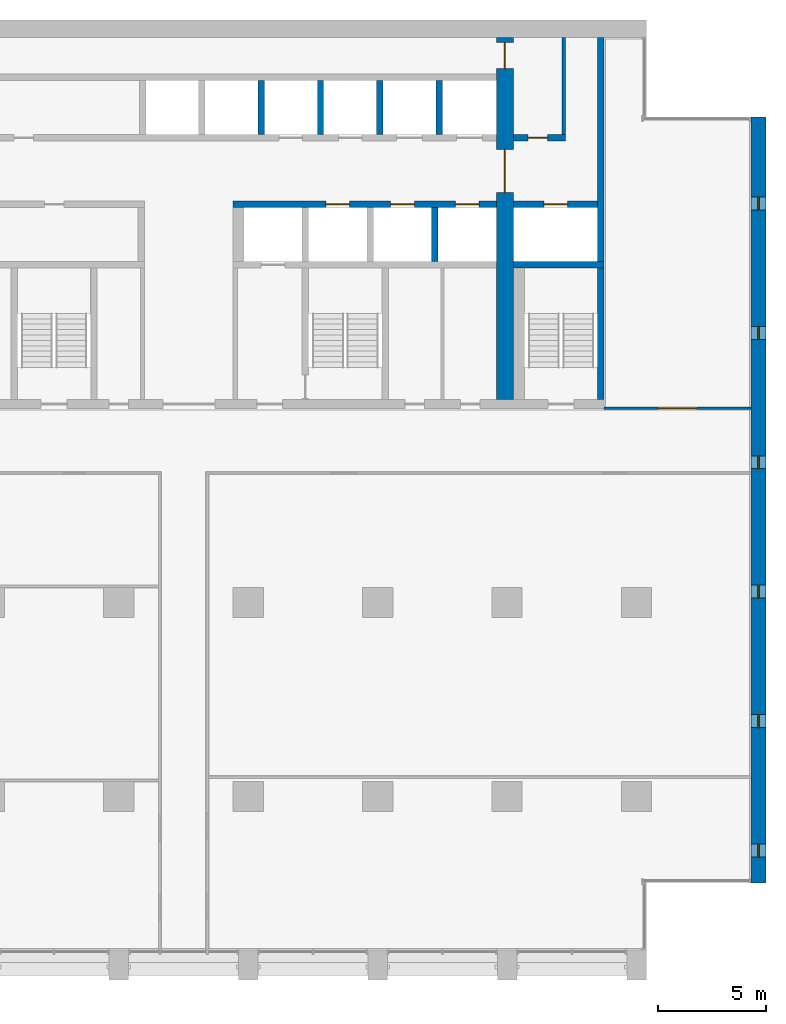
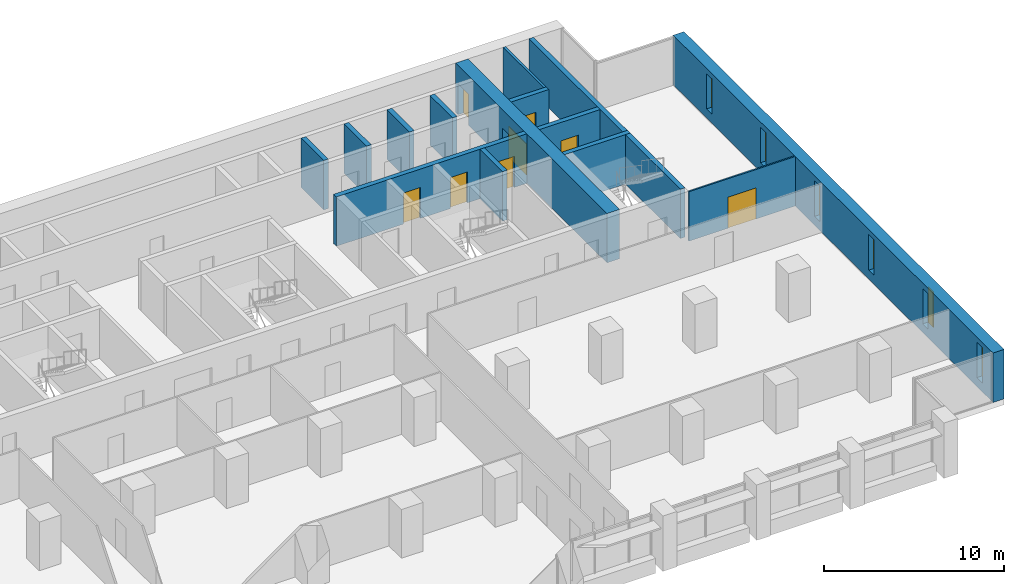
# One storey, part 11 of 15: 15 walls, 8 doors, 6 windows, 14 openings.
"""IFC4 building model written with IfcOpenShell, lengths in metres."""

from ifc_helpers import new_model, si_unit, direction, frame, frame_2d, origin, place, context, subcontext, project, spatial, rectangle, extrude, material, layer, layer_set, type_object, element, fill, save


model = new_model("IFC4")

# Units and contexts
model_context = context("Model", 3, precision=1e-05, world=origin(), true_north=direction((0.0, 1.0)))
body_context = subcontext(model_context, "Body", "Model", "MODEL_VIEW")
ifc_project = project(units=[si_unit("LENGTHUNIT", "METRE"), si_unit("AREAUNIT", "SQUARE_METRE"), si_unit("VOLUMEUNIT", "CUBIC_METRE"), si_unit("PLANEANGLEUNIT", "RADIAN"), si_unit("MASSUNIT", "GRAM", prefix="KILO")], contexts=[model_context])

# Site, building, storey
site_placement = place(None, origin())
site = spatial("IfcSite", under=ifc_project, at=site_placement, CompositionType="ELEMENT")
building_placement = place(site_placement, origin())
building = spatial("IfcBuilding", under=site, at=building_placement, Name="Calvaro Tower", CompositionType="ELEMENT")
storey_placement = place(building_placement, frame((0.0, 0.0, 106.25)))
storey = spatial("IfcBuildingStorey", under=building, at=storey_placement, Name="L26", CompositionType="ELEMENT", Elevation=106.25)

# Wall
ifc_material_1 = material(Name="Blockwork partition", Category="masonry")
ifc_layer_1 = layer(ifc_material_1, 0.14990234375)
ifc_layer_set_1 = layer_set([ifc_layer_1], Name="Blockwork partition")
wall_type_1 = type_object("IfcWallType", Name="Core partition 150 REI 120", PredefinedType="PARTITIONING", material=ifc_layer_set_1)
wall_1_placement = place(storey_placement, frame((62.625, 40.699951171875, 0.0), z_axis=(0.0, 0.0, 1.0), x_axis=(0.0, 1.0, 0.0)))
element("IfcWall", 1, at=wall_1_placement, inside=storey, type_object=wall_type_1, Name="Core partition", PredefinedType="PARTITIONING", context=body_context, shape_type="SweptSolid", body=[
    extrude(rectangle(XDim=4.5, YDim=0.14990234375, at=frame_2d((2.25, 0.0))), origin(), (0.0, 0.0, 1.0), 3.35009765625),
])

# Wall, opening, door
ifc_material_2 = material(Name="Blockwork partition", Category="masonry")
ifc_layer_2 = layer(ifc_material_2, 0.300048828125)
ifc_layer_set_2 = layer_set([ifc_layer_2], Name="Blockwork partition")
wall_type_2 = type_object("IfcWallType", Name="Core partition 300 REI 120", PredefinedType="PARTITIONING", material=ifc_layer_set_2)
wall_2_placement = place(storey_placement, frame((60.300048828125, 40.550048828125, 0.0), z_axis=(0.0, 0.0, 1.0), x_axis=(1.0, 0.0, 0.0)))
wall_2 = element("IfcWall", 2, at=wall_2_placement, inside=storey, type_object=wall_type_2, Name="Core partition", PredefinedType="PARTITIONING", context=body_context, shape_type="SweptSolid", body=[
    extrude(rectangle(XDim=2.39990234375, YDim=0.300048828125, at=frame_2d((1.199951171875, 0.0))), origin(), (0.0, 0.0, 1.0), 3.35009765625),
])
opening_1_placement = place(wall_2_placement, frame((0.675048828125, 0.0, 0.0)))
opening_1 = element("IfcOpeningElement", 3, at=opening_1_placement, cuts=wall_2, Name="Opening RD9E", PredefinedType="OPENING", context=body_context, shape_type="SweptSolid", body=[
    extrude(rectangle(XDim=0.89990234375, YDim=2.10009765625, at=frame_2d((0.449951171875, 1.050048828125))), frame((0.0, 0.159912109375, 0.0), z_axis=(0.0, -1.0, 0.0), x_axis=(1.0, 0.0, 0.0)), (0.0, 0.0, 1.0), 0.320068359375),
])
ifc_material_3 = material(Name="Steel door set", Category="steel")
door_type_1 = type_object("IfcDoorType", Name="Room door 900 FD60", OperationType="SINGLE_SWING_LEFT", PredefinedType="DOOR", material=ifc_material_3)
door_1_placement = place(opening_1_placement, origin())
door_1 = element("IfcDoor", 4, at=door_1_placement, inside=storey, type_object=door_type_1, Name="Room door", OperationType="SINGLE_SWING_LEFT", OverallHeight=2.10009765625, OverallWidth=0.89990234375, PredefinedType="DOOR", context=body_context, shape_type="SweptSolid", body=[
    extrude(rectangle(XDim=0.89990234375, YDim=2.10009765625, at=frame_2d((0.449951171875, 1.050048828125))), frame((0.0, 0.02490234375, 0.0), z_axis=(0.0, -1.0, 0.0), x_axis=(1.0, 0.0, 0.0)), (0.0, 0.0, 1.0), 0.050048828125),
])
fill(opening_1, door_1)

# Walls
ifc_material_4 = material(Name="Concrete C60/75", Category="concrete")
ifc_layer_3 = layer(ifc_material_4, 0.300048828125)
ifc_layer_set_3 = layer_set([ifc_layer_3], Name="Concrete C60/75")
wall_type_3 = type_object("IfcWallType", Name="Core wall C60/75 300", PredefinedType="SHEAR", material=ifc_layer_set_3)
wall_3_placement = place(storey_placement, frame((64.35009765625, 34.800048828125, 0.0), z_axis=(0.0, 0.0, 1.0), x_axis=(0.0, 1.0, 0.0)))
element("IfcWall", 5, at=wall_3_placement, inside=storey, type_object=wall_type_3, Name="Core wall, boundary", PredefinedType="SHEAR", context=body_context, shape_type="SweptSolid", body=[
    extrude(rectangle(XDim=10.39990234375, YDim=0.300048828125, at=frame_2d((5.199951171875, 0.0))), origin(), (0.0, 0.0, 1.0), 3.35009765625),
])
wall_4_placement = place(storey_placement, frame((64.35009765625, 28.39990234375, 0.0), z_axis=(0.0, 0.0, 1.0), x_axis=(0.0, 1.0, 0.0)))
element("IfcWall", 6, at=wall_4_placement, inside=storey, type_object=wall_type_3, Name="Core wall, stair enclosure", PredefinedType="SHEAR", context=body_context, shape_type="SweptSolid", body=[
    extrude(rectangle(XDim=6.10009765625, YDim=0.300048828125, at=frame_2d((3.050048828125, 0.0))), origin(), (0.0, 0.0, 1.0), 3.35009765625),
])
wall_5_placement = place(storey_placement, frame((60.300048828125, 34.64990234375, 0.0), z_axis=(0.0, 0.0, 1.0), x_axis=(1.0, 0.0, 0.0)))
element("IfcWall", 7, at=wall_5_placement, inside=storey, type_object=wall_type_3, Name="Core wall, lift shaft", PredefinedType="SHEAR", context=body_context, shape_type="SweptSolid", body=[
    extrude(rectangle(XDim=4.199951171875, YDim=0.300048828125, at=frame_2d((2.10009765625, 0.0))), origin(), (0.0, 0.0, 1.0), 3.35009765625),
])

# Wall, openings, doors
wall_6_placement = place(storey_placement, frame((47.300048828125, 37.449951171875, 0.0), z_axis=(0.0, 0.0, 1.0), x_axis=(1.0, 0.0, 0.0)))
wall_6 = element("IfcWall", 8, at=wall_6_placement, inside=storey, type_object=wall_type_3, Name="Core wall, lift shaft", PredefinedType="SHEAR", context=body_context, shape_type="SweptSolid", body=[
    extrude(rectangle(XDim=12.199951171875, YDim=0.300048828125, at=frame_2d((6.10009765625, 0.0))), origin(), (0.0, 0.0, 1.0), 3.35009765625),
])
opening_2_placement = place(wall_6_placement, frame((4.300048828125, 0.0, 0.0)))
opening_2 = element("IfcOpeningElement", 9, at=opening_2_placement, cuts=wall_6, Name="Opening MR1", PredefinedType="OPENING", context=body_context, shape_type="SweptSolid", body=[
    extrude(rectangle(XDim=1.10009765625, YDim=2.10009765625, at=frame_2d((0.550048828125, 1.050048828125))), frame((0.0, 0.159912109375, 0.0), z_axis=(0.0, -1.0, 0.0), x_axis=(1.0, 0.0, 0.0)), (0.0, 0.0, 1.0), 0.320068359375),
])
opening_3_placement = place(wall_6_placement, frame((7.300048828125, 0.0, 0.0)))
opening_3 = element("IfcOpeningElement", 10, at=opening_3_placement, cuts=wall_6, Name="Opening MR2", PredefinedType="OPENING", context=body_context, shape_type="SweptSolid", body=[
    extrude(rectangle(XDim=1.10009765625, YDim=2.10009765625, at=frame_2d((0.550048828125, 1.050048828125))), frame((0.0, 0.159912109375, 0.0), z_axis=(0.0, -1.0, 0.0), x_axis=(1.0, 0.0, 0.0)), (0.0, 0.0, 1.0), 0.320068359375),
])
opening_4_placement = place(wall_6_placement, frame((10.300048828125, 0.0, 0.0)))
opening_4 = element("IfcOpeningElement", 11, at=opening_4_placement, cuts=wall_6, Name="Opening MR3", PredefinedType="OPENING", context=body_context, shape_type="SweptSolid", body=[
    extrude(rectangle(XDim=1.10009765625, YDim=2.10009765625, at=frame_2d((0.550048828125, 1.050048828125))), frame((0.0, 0.159912109375, 0.0), z_axis=(0.0, -1.0, 0.0), x_axis=(1.0, 0.0, 0.0)), (0.0, 0.0, 1.0), 0.320068359375),
])
ifc_material_5 = material(Name="Stainless steel", Category="steel")
door_type_2 = type_object("IfcDoorType", Name="Landing door 1100 E 60", OperationType="SLIDING_TO_LEFT", PredefinedType="DOOR", material=ifc_material_5)
door_2_placement = place(opening_2_placement, origin())
door_2 = element("IfcDoor", 12, at=door_2_placement, inside=storey, type_object=door_type_2, Name="Landing door MR1", OperationType="SLIDING_TO_LEFT", OverallHeight=2.10009765625, OverallWidth=1.10009765625, PredefinedType="DOOR", context=body_context, shape_type="SweptSolid", body=[
    extrude(rectangle(XDim=1.10009765625, YDim=2.10009765625, at=frame_2d((0.550048828125, 1.050048828125))), frame((0.0, 0.02490234375, 0.0), z_axis=(0.0, -1.0, 0.0), x_axis=(1.0, 0.0, 0.0)), (0.0, 0.0, 1.0), 0.050048828125),
])
fill(opening_2, door_2)
door_3_placement = place(opening_3_placement, origin())
door_3 = element("IfcDoor", 13, at=door_3_placement, inside=storey, type_object=door_type_2, Name="Landing door MR2", OperationType="SLIDING_TO_LEFT", OverallHeight=2.10009765625, OverallWidth=1.10009765625, PredefinedType="DOOR", context=body_context, shape_type="SweptSolid", body=[
    extrude(rectangle(XDim=1.10009765625, YDim=2.10009765625, at=frame_2d((0.550048828125, 1.050048828125))), frame((0.0, 0.02490234375, 0.0), z_axis=(0.0, -1.0, 0.0), x_axis=(1.0, 0.0, 0.0)), (0.0, 0.0, 1.0), 0.050048828125),
])
fill(opening_3, door_3)
door_4_placement = place(opening_4_placement, origin())
door_4 = element("IfcDoor", 14, at=door_4_placement, inside=storey, type_object=door_type_2, Name="Landing door MR3", OperationType="SLIDING_TO_LEFT", OverallHeight=2.10009765625, OverallWidth=1.10009765625, PredefinedType="DOOR", context=body_context, shape_type="SweptSolid", body=[
    extrude(rectangle(XDim=1.10009765625, YDim=2.10009765625, at=frame_2d((0.550048828125, 1.050048828125))), frame((0.0, 0.02490234375, 0.0), z_axis=(0.0, -1.0, 0.0), x_axis=(1.0, 0.0, 0.0)), (0.0, 0.0, 1.0), 0.050048828125),
])
fill(opening_4, door_4)

# Wall, opening, door
wall_7_placement = place(storey_placement, frame((60.300048828125, 37.449951171875, 0.0), z_axis=(0.0, 0.0, 1.0), x_axis=(1.0, 0.0, 0.0)))
wall_7 = element("IfcWall", 15, at=wall_7_placement, inside=storey, type_object=wall_type_3, Name="Core wall, lift shaft", PredefinedType="SHEAR", context=body_context, shape_type="SweptSolid", body=[
    extrude(rectangle(XDim=3.89990234375, YDim=0.300048828125, at=frame_2d((1.949951171875, 0.0))), origin(), (0.0, 0.0, 1.0), 3.35009765625),
])
opening_5_placement = place(wall_7_placement, frame((1.39990234375, 0.0, 0.0)))
opening_5 = element("IfcOpeningElement", 16, at=opening_5_placement, cuts=wall_7, Name="Opening FF3", PredefinedType="OPENING", context=body_context, shape_type="SweptSolid", body=[
    extrude(rectangle(XDim=1.10009765625, YDim=2.10009765625, at=frame_2d((0.550048828125, 1.050048828125))), frame((0.0, 0.159912109375, 0.0), z_axis=(0.0, -1.0, 0.0), x_axis=(1.0, 0.0, 0.0)), (0.0, 0.0, 1.0), 0.320068359375),
])
door_5_placement = place(opening_5_placement, origin())
door_5 = element("IfcDoor", 17, at=door_5_placement, inside=storey, type_object=door_type_2, Name="Landing door FF3", OperationType="SLIDING_TO_LEFT", OverallHeight=2.10009765625, OverallWidth=1.10009765625, PredefinedType="DOOR", context=body_context, shape_type="SweptSolid", body=[
    extrude(rectangle(XDim=1.10009765625, YDim=2.10009765625, at=frame_2d((0.550048828125, 1.050048828125))), frame((0.0, 0.02490234375, 0.0), z_axis=(0.0, -1.0, 0.0), x_axis=(1.0, 0.0, 0.0)), (0.0, 0.0, 1.0), 0.050048828125),
])
fill(opening_5, door_5)

# Walls
for number, where, z_axis, x_axis, name in (
    (18, (56.64990234375, 34.800048828125, 0.0), (0.0, 0.0, 1.0), (0.0, 1.0, 0.0), "Core wall, lift shaft"),
    (19, (48.60009765625, 40.699951171875, 0.0), (0.0, 0.0, 1.0), (0.0, 1.0, 0.0), "Core wall, lift shaft"),
    (20, (51.35009765625, 40.699951171875, 0.0), (0.0, 0.0, 1.0), (0.0, 1.0, 0.0), "Core wall, lift shaft"),
    (21, (54.10009765625, 40.699951171875, 0.0), (0.0, 0.0, 1.0), (0.0, 1.0, 0.0), "Core wall, lift shaft"),
    (22, (56.85009765625, 40.699951171875, 0.0), (0.0, 0.0, 1.0), (0.0, 1.0, 0.0), "Core wall, lift shaft"),
):
    element("IfcWall", number, at=place(storey_placement, frame(where, z_axis=z_axis, x_axis=x_axis)), inside=storey, type_object=wall_type_3, Name=name, PredefinedType="SHEAR", context=body_context, shape_type="SweptSolid", body=[
        extrude(rectangle(XDim=2.5, YDim=0.300048828125, at=frame_2d((1.25, 0.0))), origin(), (0.0, 0.0, 1.0), 3.35009765625),
    ])

# Wall, openings, doors
ifc_material_6 = material(Name="Concrete C60/75", Category="concrete")
ifc_layer_4 = layer(ifc_material_6, 0.800048828125)
ifc_layer_set_4 = layer_set([ifc_layer_4], Name="Concrete C60/75")
wall_type_4 = type_object("IfcWallType", Name="Core wall C60/75 800", PredefinedType="SHEAR", material=ifc_layer_set_4)
wall_8_placement = place(storey_placement, frame((59.89990234375, 28.39990234375, 0.0), z_axis=(0.0, 0.0, 1.0), x_axis=(0.0, 1.0, 0.0)))
wall_8 = element("IfcWall", 23, at=wall_8_placement, inside=storey, type_object=wall_type_4, Name="Core wall, cross shear wall", PredefinedType="SHEAR", context=body_context, shape_type="SweptSolid", body=[
    extrude(rectangle(XDim=16.800048828125, YDim=0.800048828125, at=frame_2d((8.39990234375, 0.0))), origin(), (0.0, 0.0, 1.0), 3.35009765625),
])
opening_6_placement = place(wall_8_placement, frame((9.60009765625, 0.0, 0.0)))
opening_6 = element("IfcOpeningElement", 24, at=opening_6_placement, cuts=wall_8, Name="Opening DD20D", PredefinedType="OPENING", context=body_context, shape_type="SweptSolid", body=[
    extrude(rectangle(XDim=2.0, YDim=2.10009765625, at=frame_2d((1.0, 1.050048828125))), frame((0.0, 0.409912109375, 0.0), z_axis=(0.0, -1.0, 0.0), x_axis=(1.0, 0.0, 0.0)), (0.0, 0.0, 1.0), 0.820068359375),
])
opening_7_placement = place(wall_8_placement, frame((15.35009765625, 0.0, 0.0)))
opening_7 = element("IfcOpeningElement", 25, at=opening_7_placement, cuts=wall_8, Name="Opening FD12C", PredefinedType="OPENING", context=body_context, shape_type="SweptSolid", body=[
    extrude(rectangle(XDim=1.199951171875, YDim=2.10009765625, at=frame_2d((0.60009765625, 1.050048828125))), frame((0.0, 0.409912109375, 0.0), z_axis=(0.0, -1.0, 0.0), x_axis=(1.0, 0.0, 0.0)), (0.0, 0.0, 1.0), 0.820068359375),
])
ifc_material_7 = material(Name="Steel door set", Category="steel")
door_type_3 = type_object("IfcDoorType", Name="Fire door 1200 FD30", OperationType="SINGLE_SWING_LEFT", PredefinedType="DOOR", material=ifc_material_7)
door_6_placement = place(opening_7_placement, origin())
door_6 = element("IfcDoor", 26, at=door_6_placement, inside=storey, type_object=door_type_3, Name="Fire door", OperationType="SINGLE_SWING_LEFT", OverallHeight=2.10009765625, OverallWidth=1.199951171875, PredefinedType="DOOR", context=body_context, shape_type="SweptSolid", body=[
    extrude(rectangle(XDim=1.199951171875, YDim=2.10009765625, at=frame_2d((0.60009765625, 1.050048828125))), frame((0.0, 0.02490234375, 0.0), z_axis=(0.0, -1.0, 0.0), x_axis=(1.0, 0.0, 0.0)), (0.0, 0.0, 1.0), 0.050048828125),
])
fill(opening_7, door_6)
ifc_material_8 = material(Name="Steel door set", Category="steel")
door_type_4 = type_object("IfcDoorType", Name="Lobby double door 2000 FD30S", OperationType="DOUBLE_DOOR_SINGLE_SWING", PredefinedType="DOOR", material=ifc_material_8)
door_7_placement = place(opening_6_placement, origin())
door_7 = element("IfcDoor", 27, at=door_7_placement, inside=storey, type_object=door_type_4, Name="Lobby double door", OperationType="DOUBLE_DOOR_SINGLE_SWING", OverallHeight=2.10009765625, OverallWidth=2.0, PredefinedType="DOOR", context=body_context, shape_type="SweptSolid", body=[
    extrude(rectangle(XDim=2.0, YDim=2.10009765625, at=frame_2d((1.0, 1.050048828125))), frame((0.0, 0.02490234375, 0.0), z_axis=(0.0, -1.0, 0.0), x_axis=(1.0, 0.0, 0.0)), (0.0, 0.0, 1.0), 0.050048828125),
])
fill(opening_6, door_7)

# Wall, openings, windows
ifc_material_9 = material(Name="Concrete C60/75", Category="concrete")
ifc_layer_5 = layer(ifc_material_9, 0.699951171875)
ifc_layer_set_5 = layer_set([ifc_layer_5], Name="Concrete C60/75")
wall_type_5 = type_object("IfcWallType", Name="End wall 700 C60/75", PredefinedType="SHEAR", material=ifc_layer_set_5)
wall_9_placement = place(storey_placement, frame((71.64990234375, 6.0, 0.0), z_axis=(0.0, 0.0, 1.0), x_axis=(0.0, 1.0, 0.0)))
wall_9 = element("IfcWall", 28, at=wall_9_placement, inside=storey, type_object=wall_type_5, Name="End shear wall", PredefinedType="SHEAR", context=body_context, shape_type="SweptSolid", body=[
    extrude(rectangle(XDim=35.5, YDim=0.699951171875, at=frame_2d((17.75, 0.0))), origin(), (0.0, 0.0, 1.0), 3.35009765625),
])
opening_8_placement = place(wall_9_placement, frame((1.199951171875, 0.0, 0.60009765625)))
opening_8 = element("IfcOpeningElement", 29, at=opening_8_placement, cuts=wall_9, Name="Opening WE01", PredefinedType="OPENING", context=body_context, shape_type="SweptSolid", body=[
    extrude(rectangle(XDim=0.60009765625, YDim=2.39990234375, at=frame_2d((0.300048828125, 1.199951171875))), frame((0.0, 0.35986328125, 0.0), z_axis=(0.0, -1.0, 0.0), x_axis=(1.0, 0.0, 0.0)), (0.0, 0.0, 1.0), 0.719970703125),
])
opening_9_placement = place(wall_9_placement, frame((7.199951171875, 0.0, 0.60009765625)))
opening_9 = element("IfcOpeningElement", 30, at=opening_9_placement, cuts=wall_9, Name="Opening WE02", PredefinedType="OPENING", context=body_context, shape_type="SweptSolid", body=[
    extrude(rectangle(XDim=0.60009765625, YDim=2.39990234375, at=frame_2d((0.300048828125, 1.199951171875))), frame((0.0, 0.35986328125, 0.0), z_axis=(0.0, -1.0, 0.0), x_axis=(1.0, 0.0, 0.0)), (0.0, 0.0, 1.0), 0.719970703125),
])
opening_10_placement = place(wall_9_placement, frame((13.199951171875, 0.0, 0.60009765625)))
opening_10 = element("IfcOpeningElement", 31, at=opening_10_placement, cuts=wall_9, Name="Opening WE03", PredefinedType="OPENING", context=body_context, shape_type="SweptSolid", body=[
    extrude(rectangle(XDim=0.60009765625, YDim=2.39990234375, at=frame_2d((0.300048828125, 1.199951171875))), frame((0.0, 0.35986328125, 0.0), z_axis=(0.0, -1.0, 0.0), x_axis=(1.0, 0.0, 0.0)), (0.0, 0.0, 1.0), 0.719970703125),
])
opening_11_placement = place(wall_9_placement, frame((19.199951171875, 0.0, 0.60009765625)))
opening_11 = element("IfcOpeningElement", 32, at=opening_11_placement, cuts=wall_9, Name="Opening WE04", PredefinedType="OPENING", context=body_context, shape_type="SweptSolid", body=[
    extrude(rectangle(XDim=0.60009765625, YDim=2.39990234375, at=frame_2d((0.300048828125, 1.199951171875))), frame((0.0, 0.35986328125, 0.0), z_axis=(0.0, -1.0, 0.0), x_axis=(1.0, 0.0, 0.0)), (0.0, 0.0, 1.0), 0.719970703125),
])
opening_12_placement = place(wall_9_placement, frame((25.199951171875, 0.0, 0.60009765625)))
opening_12 = element("IfcOpeningElement", 33, at=opening_12_placement, cuts=wall_9, Name="Opening WE05", PredefinedType="OPENING", context=body_context, shape_type="SweptSolid", body=[
    extrude(rectangle(XDim=0.60009765625, YDim=2.39990234375, at=frame_2d((0.300048828125, 1.199951171875))), frame((0.0, 0.35986328125, 0.0), z_axis=(0.0, -1.0, 0.0), x_axis=(1.0, 0.0, 0.0)), (0.0, 0.0, 1.0), 0.719970703125),
])
opening_13_placement = place(wall_9_placement, frame((31.199951171875, 0.0, 0.60009765625)))
opening_13 = element("IfcOpeningElement", 34, at=opening_13_placement, cuts=wall_9, Name="Opening WE06", PredefinedType="OPENING", context=body_context, shape_type="SweptSolid", body=[
    extrude(rectangle(XDim=0.60009765625, YDim=2.39990234375, at=frame_2d((0.300048828125, 1.199951171875))), frame((0.0, 0.35986328125, 0.0), z_axis=(0.0, -1.0, 0.0), x_axis=(1.0, 0.0, 0.0)), (0.0, 0.0, 1.0), 0.719970703125),
])
ifc_material_10 = material(Name="Glass", Category="glass")
window_type = type_object("IfcWindowType", Name="Slit window 600 x 2400", PartitioningType="SINGLE_PANEL", PredefinedType="WINDOW", material=ifc_material_10)
window_1_placement = place(opening_8_placement, origin())
window_1 = element("IfcWindow", 35, at=window_1_placement, inside=storey, type_object=window_type, Name="Window WE01", OverallHeight=2.39990234375, OverallWidth=0.60009765625, PartitioningType="SINGLE_PANEL", PredefinedType="WINDOW", context=body_context, shape_type="SweptSolid", body=[
    extrude(rectangle(XDim=0.60009765625, YDim=2.39990234375, at=frame_2d((0.300048828125, 1.199951171875))), frame((0.0, 0.030029296875, 0.0), z_axis=(0.0, -1.0, 0.0), x_axis=(1.0, 0.0, 0.0)), (0.0, 0.0, 1.0), 0.06005859375),
])
fill(opening_8, window_1)
window_2_placement = place(opening_9_placement, origin())
window_2 = element("IfcWindow", 36, at=window_2_placement, inside=storey, type_object=window_type, Name="Window WE02", OverallHeight=2.39990234375, OverallWidth=0.60009765625, PartitioningType="SINGLE_PANEL", PredefinedType="WINDOW", context=body_context, shape_type="SweptSolid", body=[
    extrude(rectangle(XDim=0.60009765625, YDim=2.39990234375, at=frame_2d((0.300048828125, 1.199951171875))), frame((0.0, 0.030029296875, 0.0), z_axis=(0.0, -1.0, 0.0), x_axis=(1.0, 0.0, 0.0)), (0.0, 0.0, 1.0), 0.06005859375),
])
fill(opening_9, window_2)
window_3_placement = place(opening_10_placement, origin())
window_3 = element("IfcWindow", 37, at=window_3_placement, inside=storey, type_object=window_type, Name="Window WE03", OverallHeight=2.39990234375, OverallWidth=0.60009765625, PartitioningType="SINGLE_PANEL", PredefinedType="WINDOW", context=body_context, shape_type="SweptSolid", body=[
    extrude(rectangle(XDim=0.60009765625, YDim=2.39990234375, at=frame_2d((0.300048828125, 1.199951171875))), frame((0.0, 0.030029296875, 0.0), z_axis=(0.0, -1.0, 0.0), x_axis=(1.0, 0.0, 0.0)), (0.0, 0.0, 1.0), 0.06005859375),
])
fill(opening_10, window_3)
window_4_placement = place(opening_11_placement, origin())
window_4 = element("IfcWindow", 38, at=window_4_placement, inside=storey, type_object=window_type, Name="Window WE04", OverallHeight=2.39990234375, OverallWidth=0.60009765625, PartitioningType="SINGLE_PANEL", PredefinedType="WINDOW", context=body_context, shape_type="SweptSolid", body=[
    extrude(rectangle(XDim=0.60009765625, YDim=2.39990234375, at=frame_2d((0.300048828125, 1.199951171875))), frame((0.0, 0.030029296875, 0.0), z_axis=(0.0, -1.0, 0.0), x_axis=(1.0, 0.0, 0.0)), (0.0, 0.0, 1.0), 0.06005859375),
])
fill(opening_11, window_4)
window_5_placement = place(opening_12_placement, origin())
window_5 = element("IfcWindow", 39, at=window_5_placement, inside=storey, type_object=window_type, Name="Window WE05", OverallHeight=2.39990234375, OverallWidth=0.60009765625, PartitioningType="SINGLE_PANEL", PredefinedType="WINDOW", context=body_context, shape_type="SweptSolid", body=[
    extrude(rectangle(XDim=0.60009765625, YDim=2.39990234375, at=frame_2d((0.300048828125, 1.199951171875))), frame((0.0, 0.030029296875, 0.0), z_axis=(0.0, -1.0, 0.0), x_axis=(1.0, 0.0, 0.0)), (0.0, 0.0, 1.0), 0.06005859375),
])
fill(opening_12, window_5)
window_6_placement = place(opening_13_placement, origin())
window_6 = element("IfcWindow", 40, at=window_6_placement, inside=storey, type_object=window_type, Name="Window WE06", OverallHeight=2.39990234375, OverallWidth=0.60009765625, PartitioningType="SINGLE_PANEL", PredefinedType="WINDOW", context=body_context, shape_type="SweptSolid", body=[
    extrude(rectangle(XDim=0.60009765625, YDim=2.39990234375, at=frame_2d((0.300048828125, 1.199951171875))), frame((0.0, 0.030029296875, 0.0), z_axis=(0.0, -1.0, 0.0), x_axis=(1.0, 0.0, 0.0)), (0.0, 0.0, 1.0), 0.06005859375),
])
fill(opening_13, window_6)

# Wall, opening, door
ifc_material_11 = material(Name="Plasterboard on steel studs", Category="steel")
ifc_layer_6 = layer(ifc_material_11, 0.10009765625)
ifc_layer_set_6 = layer_set([ifc_layer_6], Name="Plasterboard on steel studs")
wall_type_6 = type_object("IfcWallType", Name="Partition 100", PredefinedType="PARTITIONING", material=ifc_layer_set_6)
wall_10_placement = place(storey_placement, frame((64.5, 28.0, 0.0), z_axis=(0.0, 0.0, 1.0), x_axis=(1.0, 0.0, 0.0)))
wall_10 = element("IfcWall", 41, at=wall_10_placement, inside=storey, type_object=wall_type_6, Name="Partition T17.W012", PredefinedType="PARTITIONING", context=body_context, shape_type="SweptSolid", body=[
    extrude(rectangle(XDim=6.800048828125, YDim=0.10009765625, at=frame_2d((3.39990234375, 0.0))), origin(), (0.0, 0.0, 1.0), 3.35009765625),
])
opening_14_placement = place(wall_10_placement, frame((2.5, 0.0, 0.0)))
opening_14 = element("IfcOpeningElement", 42, at=opening_14_placement, cuts=wall_10, Name="Opening T17.016", PredefinedType="OPENING", context=body_context, shape_type="SweptSolid", body=[
    extrude(rectangle(XDim=1.800048828125, YDim=2.10009765625, at=frame_2d((0.89990234375, 1.050048828125))), frame((0.0, 0.06005859375, 0.0), z_axis=(0.0, -1.0, 0.0), x_axis=(1.0, 0.0, 0.0)), (0.0, 0.0, 1.0), 0.1201171875),
])
ifc_material_12 = material(Name="Timber", Category="wood")
door_type_5 = type_object("IfcDoorType", Name="Internal double door 1800 x 2100", OperationType="DOUBLE_DOOR_SINGLE_SWING", PredefinedType="DOOR", material=ifc_material_12)
door_8_placement = place(opening_14_placement, origin())
door_8 = element("IfcDoor", 43, at=door_8_placement, inside=storey, type_object=door_type_5, Name="Door T17.016", OperationType="DOUBLE_DOOR_SINGLE_SWING", OverallHeight=2.10009765625, OverallWidth=1.800048828125, PredefinedType="DOOR", context=body_context, shape_type="SweptSolid", body=[
    extrude(rectangle(XDim=1.800048828125, YDim=2.10009765625, at=frame_2d((0.89990234375, 1.050048828125))), frame((0.0, 0.02490234375, 0.0), z_axis=(0.0, -1.0, 0.0), x_axis=(1.0, 0.0, 0.0)), (0.0, 0.0, 1.0), 0.050048828125),
])
fill(opening_14, door_8)

save(model, "model.ifc")
